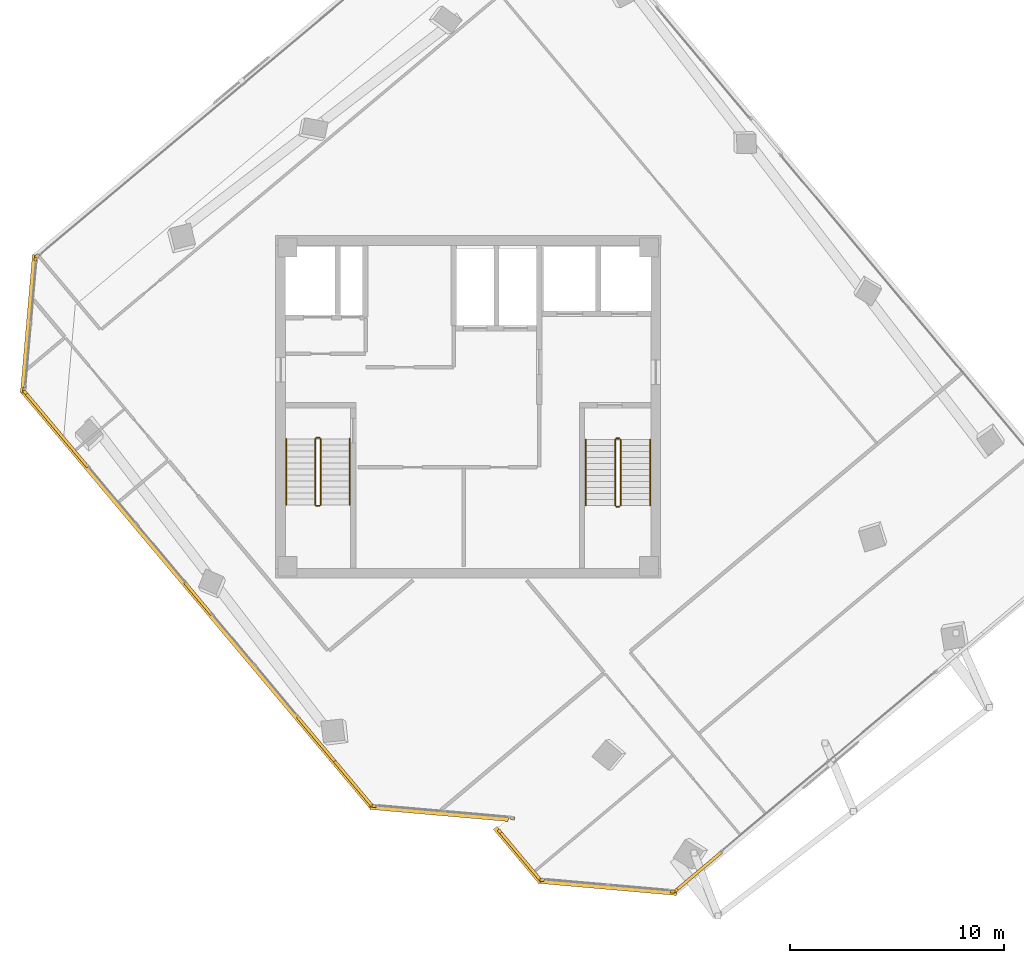
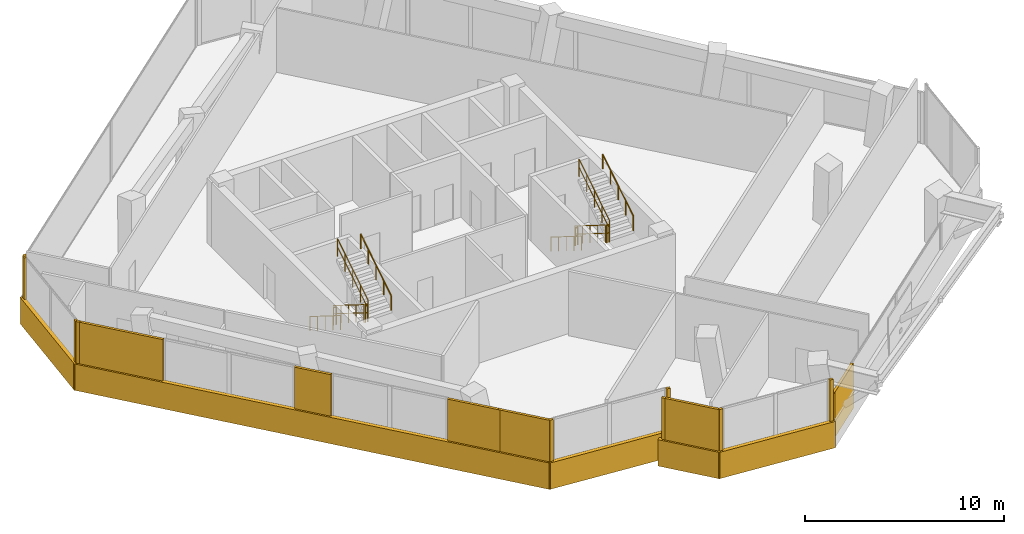
# One storey, part 15 of 17: 21 coverings, 12 railings.
"""IFC4 building model written with IfcOpenShell, lengths in metres."""

from ifc_helpers import new_model, si_unit, direction, frame, origin, origin_2d, place, context, subcontext, project, spatial, rectangle, circle, extrude, source, transform, mapped, material, layer, layer_set, type_object, element, save


model = new_model("IFC4")

# Units and contexts
model_context = context("Model", 3, precision=1e-05, world=origin(), true_north=direction((0.0, 1.0)))
body_context = subcontext(model_context, "Body", "Model", "MODEL_VIEW")
ifc_project = project(units=[si_unit("LENGTHUNIT", "METRE"), si_unit("AREAUNIT", "SQUARE_METRE"), si_unit("VOLUMEUNIT", "CUBIC_METRE"), si_unit("PLANEANGLEUNIT", "RADIAN"), si_unit("MASSUNIT", "GRAM", prefix="KILO")], contexts=[model_context])

# Site, building, storey
site_placement = place(None, origin())
site = spatial("IfcSite", under=ifc_project, at=site_placement, CompositionType="ELEMENT")
building_placement = place(site_placement, origin())
building = spatial("IfcBuilding", under=site, at=building_placement, Name="Torre Montelarca", CompositionType="ELEMENT")
storey_placement = place(building_placement, frame((0.0, 0.0, 275.199951171875)))
storey = spatial("IfcBuildingStorey", under=building, at=storey_placement, Name="L62", CompositionType="ELEMENT", Elevation=275.199951171875)

# Railings
ifc_material_1 = material(Name="Powder-coated steel ASTM A500 Grade C", Category="steel")
railing_type_1 = type_object("IfcRailingType", Name="RL-GUARD-1100", PredefinedType="BALUSTRADE", material=ifc_material_1)
railing_1_placement = place(storey_placement, frame((10.85009765625, 30.5, 0.175048828125)))
element("IfcRailing", 1, at=railing_1_placement, inside=storey, type_object=railing_type_1, Name="L62 ST1 stair guard 1", PredefinedType="BALUSTRADE", context=body_context, shape_type="SweptSolid", body=[
    extrude(circle(Radius=0.02392578125, at=origin_2d()), frame((0.0, 0.0, 1.076171875), z_axis=(0.0, -0.847998304005, 0.529998940003), x_axis=(1.0, 0.0, 0.0)), (0.0, 0.0, 1.0), 3.632080078125),
    extrude(circle(Radius=0.02099609375, at=origin_2d()), frame((0.0, 0.0, 0.572021484375), z_axis=(0.0, -0.847998304005, 0.529998940003), x_axis=(1.0, 0.0, 0.0)), (0.0, 0.0, 1.0), 3.632080078125),
    extrude(circle(Radius=0.02099609375, at=origin_2d()), origin(), (0.0, 0.0, 1.0), 1.052001953125),
    extrude(circle(Radius=0.02099609375, at=origin_2d()), frame((0.0, -0.77001953125, 0.481201171875)), (0.0, 0.0, 1.0), 1.052001953125),
    extrude(circle(Radius=0.02099609375, at=origin_2d()), frame((0.0, -1.5400390625, 0.96240234375)), (0.0, 0.0, 1.0), 1.052001953125),
    extrude(circle(Radius=0.02099609375, at=origin_2d()), frame((0.0, -2.31005859375, 1.44384765625)), (0.0, 0.0, 1.0), 1.052001953125),
    extrude(circle(Radius=0.02099609375, at=origin_2d()), frame((0.0, -3.080078125, 1.925048828125)), (0.0, 0.0, 1.0), 1.052001953125),
])
railing_2_placement = place(storey_placement, frame((10.89990234375, 27.3701171875, 2.10009765625)))
element("IfcRailing", 2, at=railing_2_placement, inside=storey, type_object=railing_type_1, Name="L62 ST1 stair guard 2", PredefinedType="BALUSTRADE", context=body_context, shape_type="SweptSolid", body=[
    extrude(circle(Radius=0.02392578125, at=origin_2d()), frame((0.0, 0.0, 1.076171875), z_axis=(1.0, 0.0, 0.0), x_axis=(0.0, 1.0, 0.0)), (0.0, 0.0, 1.0), 0.150146484375),
    extrude(circle(Radius=0.02099609375, at=origin_2d()), frame((0.0, 0.0, 0.572021484375), z_axis=(1.0, 0.0, 0.0), x_axis=(0.0, 1.0, 0.0)), (0.0, 0.0, 1.0), 0.150146484375),
    extrude(circle(Radius=0.02099609375, at=origin_2d()), origin(), (0.0, 0.0, 1.0), 1.052001953125),
    extrude(circle(Radius=0.02099609375, at=origin_2d()), frame((0.150146484375, 0.0, 0.0)), (0.0, 0.0, 1.0), 1.052001953125),
])
railing_3_placement = place(storey_placement, frame((11.10009765625, 27.419921875, 2.275146484375)))
element("IfcRailing", 3, at=railing_3_placement, inside=storey, type_object=railing_type_1, Name="L62 ST1 stair guard 3", PredefinedType="BALUSTRADE", context=body_context, shape_type="SweptSolid", body=[
    extrude(circle(Radius=0.02392578125, at=origin_2d()), frame((0.0, 0.0, 1.076171875), z_axis=(0.0, 0.848028513186, 0.529950602248), x_axis=(-1.0, 0.0, 0.0)), (0.0, 0.0, 1.0), 3.632080078125),
    extrude(circle(Radius=0.02099609375, at=origin_2d()), frame((0.0, 0.0, 0.572021484375), z_axis=(0.0, 0.848028513186, 0.529950602248), x_axis=(-1.0, 0.0, 0.0)), (0.0, 0.0, 1.0), 3.632080078125),
    extrude(circle(Radius=0.02099609375, at=origin_2d()), origin(), (0.0, 0.0, 1.0), 1.052001953125),
    extrude(circle(Radius=0.02099609375, at=origin_2d()), frame((0.0, 0.77001953125, 0.481201171875)), (0.0, 0.0, 1.0), 1.052001953125),
    extrude(circle(Radius=0.02099609375, at=origin_2d()), frame((0.0, 1.5400390625, 0.96240234375)), (0.0, 0.0, 1.0), 1.052001953125),
    extrude(circle(Radius=0.02099609375, at=origin_2d()), frame((0.0, 2.31005859375, 1.443603515625)), (0.0, 0.0, 1.0), 1.052001953125),
    extrude(circle(Radius=0.02099609375, at=origin_2d()), frame((0.0, 3.080078125, 1.9248046875)), (0.0, 0.0, 1.0), 1.052001953125),
])
railing_4_placement = place(storey_placement, frame((10.89990234375, 30.550048828125, 0.0)))
element("IfcRailing", 4, at=railing_4_placement, inside=storey, type_object=railing_type_1, Name="L62 ST1 stair guard 4", PredefinedType="BALUSTRADE", context=body_context, shape_type="SweptSolid", body=[
    extrude(circle(Radius=0.02392578125, at=origin_2d()), frame((0.0, 0.0, 1.076171875), z_axis=(1.0, 0.0, 0.0), x_axis=(0.0, 1.0, 0.0)), (0.0, 0.0, 1.0), 0.150146484375),
    extrude(circle(Radius=0.02099609375, at=origin_2d()), frame((0.0, 0.0, 0.572021484375), z_axis=(1.0, 0.0, 0.0), x_axis=(0.0, 1.0, 0.0)), (0.0, 0.0, 1.0), 0.150146484375),
    extrude(circle(Radius=0.02099609375, at=origin_2d()), origin(), (0.0, 0.0, 1.0), 1.052001953125),
    extrude(circle(Radius=0.02099609375, at=origin_2d()), frame((0.150146484375, 0.0, 0.0)), (0.0, 0.0, 1.0), 1.052001953125),
])
railing_5_placement = place(storey_placement, frame((24.8701171875, 30.469970703125, 0.175048828125)))
element("IfcRailing", 5, at=railing_5_placement, inside=storey, type_object=railing_type_1, Name="L62 ST2 stair guard 1", PredefinedType="BALUSTRADE", context=body_context, shape_type="SweptSolid", body=[
    extrude(circle(Radius=0.02392578125, at=origin_2d()), frame((0.0, 0.0, 1.076171875), z_axis=(0.0, -0.847998304005, 0.529998940003), x_axis=(1.0, 0.0, 0.0)), (0.0, 0.0, 1.0), 3.632080078125),
    extrude(circle(Radius=0.02099609375, at=origin_2d()), frame((0.0, 0.0, 0.572021484375), z_axis=(0.0, -0.847998304005, 0.529998940003), x_axis=(1.0, 0.0, 0.0)), (0.0, 0.0, 1.0), 3.632080078125),
    extrude(circle(Radius=0.02099609375, at=origin_2d()), origin(), (0.0, 0.0, 1.0), 1.052001953125),
    extrude(circle(Radius=0.02099609375, at=origin_2d()), frame((0.0, -0.77001953125, 0.481201171875)), (0.0, 0.0, 1.0), 1.052001953125),
    extrude(circle(Radius=0.02099609375, at=origin_2d()), frame((0.0, -1.5400390625, 0.96240234375)), (0.0, 0.0, 1.0), 1.052001953125),
    extrude(circle(Radius=0.02099609375, at=origin_2d()), frame((0.0, -2.31005859375, 1.44384765625)), (0.0, 0.0, 1.0), 1.052001953125),
    extrude(circle(Radius=0.02099609375, at=origin_2d()), frame((0.0, -3.080078125, 1.925048828125)), (0.0, 0.0, 1.0), 1.052001953125),
])
railing_6_placement = place(storey_placement, frame((24.919921875, 27.340087890625, 2.10009765625)))
element("IfcRailing", 6, at=railing_6_placement, inside=storey, type_object=railing_type_1, Name="L62 ST2 stair guard 2", PredefinedType="BALUSTRADE", context=body_context, shape_type="SweptSolid", body=[
    extrude(circle(Radius=0.02392578125, at=origin_2d()), frame((0.0, 0.0, 1.076171875), z_axis=(1.0, 0.0, 0.0), x_axis=(0.0, 1.0, 0.0)), (0.0, 0.0, 1.0), 0.150146484375),
    extrude(circle(Radius=0.02099609375, at=origin_2d()), frame((0.0, 0.0, 0.572021484375), z_axis=(1.0, 0.0, 0.0), x_axis=(0.0, 1.0, 0.0)), (0.0, 0.0, 1.0), 0.150146484375),
    extrude(circle(Radius=0.02099609375, at=origin_2d()), origin(), (0.0, 0.0, 1.0), 1.052001953125),
    extrude(circle(Radius=0.02099609375, at=origin_2d()), frame((0.150146484375, 0.0, 0.0)), (0.0, 0.0, 1.0), 1.052001953125),
])
railing_7_placement = place(storey_placement, frame((25.1201171875, 27.389892578125, 2.275146484375)))
element("IfcRailing", 7, at=railing_7_placement, inside=storey, type_object=railing_type_1, Name="L62 ST2 stair guard 3", PredefinedType="BALUSTRADE", context=body_context, shape_type="SweptSolid", body=[
    extrude(circle(Radius=0.02392578125, at=origin_2d()), frame((0.0, 0.0, 1.076171875), z_axis=(0.0, 0.848028513186, 0.529950602248), x_axis=(-1.0, 0.0, 0.0)), (0.0, 0.0, 1.0), 3.632080078125),
    extrude(circle(Radius=0.02099609375, at=origin_2d()), frame((0.0, 0.0, 0.572021484375), z_axis=(0.0, 0.848028513186, 0.529950602248), x_axis=(-1.0, 0.0, 0.0)), (0.0, 0.0, 1.0), 3.632080078125),
    extrude(circle(Radius=0.02099609375, at=origin_2d()), origin(), (0.0, 0.0, 1.0), 1.052001953125),
    extrude(circle(Radius=0.02099609375, at=origin_2d()), frame((0.0, 0.77001953125, 0.481201171875)), (0.0, 0.0, 1.0), 1.052001953125),
    extrude(circle(Radius=0.02099609375, at=origin_2d()), frame((0.0, 1.5400390625, 0.96240234375)), (0.0, 0.0, 1.0), 1.052001953125),
    extrude(circle(Radius=0.02099609375, at=origin_2d()), frame((0.0, 2.31005859375, 1.443603515625)), (0.0, 0.0, 1.0), 1.052001953125),
    extrude(circle(Radius=0.02099609375, at=origin_2d()), frame((0.0, 3.080078125, 1.9248046875)), (0.0, 0.0, 1.0), 1.052001953125),
])
railing_8_placement = place(storey_placement, frame((24.919921875, 30.52001953125, 0.0)))
element("IfcRailing", 8, at=railing_8_placement, inside=storey, type_object=railing_type_1, Name="L62 ST2 stair guard 4", PredefinedType="BALUSTRADE", context=body_context, shape_type="SweptSolid", body=[
    extrude(circle(Radius=0.02392578125, at=origin_2d()), frame((0.0, 0.0, 1.076171875), z_axis=(1.0, 0.0, 0.0), x_axis=(0.0, 1.0, 0.0)), (0.0, 0.0, 1.0), 0.150146484375),
    extrude(circle(Radius=0.02099609375, at=origin_2d()), frame((0.0, 0.0, 0.572021484375), z_axis=(1.0, 0.0, 0.0), x_axis=(0.0, 1.0, 0.0)), (0.0, 0.0, 1.0), 0.150146484375),
    extrude(circle(Radius=0.02099609375, at=origin_2d()), origin(), (0.0, 0.0, 1.0), 1.052001953125),
    extrude(circle(Radius=0.02099609375, at=origin_2d()), frame((0.150146484375, 0.0, 0.0)), (0.0, 0.0, 1.0), 1.052001953125),
])
ifc_material_2 = material(Name="Brushed stainless steel AISI 316", Category="steel")
railing_type_2 = type_object("IfcRailingType", Name="RL-HANDRAIL-900", PredefinedType="HANDRAIL", material=ifc_material_2)
railing_9_placement = place(storey_placement, frame((9.5, 30.5, 0.175048828125)))
element("IfcRailing", 9, at=railing_9_placement, inside=storey, type_object=railing_type_2, Name="L62 ST1 stair handrail 1", PredefinedType="HANDRAIL", context=body_context, shape_type="SweptSolid", body=[
    extrude(circle(Radius=0.02392578125, at=origin_2d()), frame((0.0, 0.0, 0.8759765625), z_axis=(0.0, -0.847998304005, 0.529998940003), x_axis=(1.0, 0.0, 0.0)), (0.0, 0.0, 1.0), 3.632080078125),
    extrude(circle(Radius=0.02099609375, at=origin_2d()), origin(), (0.0, 0.0, 1.0), 0.851806640625),
    extrude(circle(Radius=0.02099609375, at=origin_2d()), frame((0.0, -0.77001953125, 0.481201171875)), (0.0, 0.0, 1.0), 0.851806640625),
    extrude(circle(Radius=0.02099609375, at=origin_2d()), frame((0.0, -1.5400390625, 0.96240234375)), (0.0, 0.0, 1.0), 0.851806640625),
    extrude(circle(Radius=0.02099609375, at=origin_2d()), frame((0.0, -2.31005859375, 1.44384765625)), (0.0, 0.0, 1.0), 0.851806640625),
    extrude(circle(Radius=0.02099609375, at=origin_2d()), frame((0.0, -3.080078125, 1.925048828125)), (0.0, 0.0, 1.0), 0.851806640625),
])
railing_10_placement = place(storey_placement, frame((12.449951171875, 27.419921875, 2.275146484375)))
element("IfcRailing", 10, at=railing_10_placement, inside=storey, type_object=railing_type_2, Name="L62 ST1 stair handrail 2", PredefinedType="HANDRAIL", context=body_context, shape_type="SweptSolid", body=[
    extrude(circle(Radius=0.02392578125, at=origin_2d()), frame((0.0, 0.0, 0.8759765625), z_axis=(0.0, 0.848028513186, 0.529950602248), x_axis=(-1.0, 0.0, 0.0)), (0.0, 0.0, 1.0), 3.632080078125),
    extrude(circle(Radius=0.02099609375, at=origin_2d()), origin(), (0.0, 0.0, 1.0), 0.851806640625),
    extrude(circle(Radius=0.02099609375, at=origin_2d()), frame((0.0, 0.77001953125, 0.481201171875)), (0.0, 0.0, 1.0), 0.851806640625),
    extrude(circle(Radius=0.02099609375, at=origin_2d()), frame((0.0, 1.5400390625, 0.96240234375)), (0.0, 0.0, 1.0), 0.851806640625),
    extrude(circle(Radius=0.02099609375, at=origin_2d()), frame((0.0, 2.31005859375, 1.443603515625)), (0.0, 0.0, 1.0), 0.851806640625),
    extrude(circle(Radius=0.02099609375, at=origin_2d()), frame((0.0, 3.080078125, 1.9248046875)), (0.0, 0.0, 1.0), 0.851806640625),
])
railing_11_placement = place(storey_placement, frame((23.489990234375, 30.469970703125, 0.175048828125)))
element("IfcRailing", 11, at=railing_11_placement, inside=storey, type_object=railing_type_2, Name="L62 ST2 stair handrail 1", PredefinedType="HANDRAIL", context=body_context, shape_type="SweptSolid", body=[
    extrude(circle(Radius=0.02392578125, at=origin_2d()), frame((0.0, 0.0, 0.8759765625), z_axis=(0.0, -0.847998304005, 0.529998940003), x_axis=(1.0, 0.0, 0.0)), (0.0, 0.0, 1.0), 3.632080078125),
    extrude(circle(Radius=0.02099609375, at=origin_2d()), origin(), (0.0, 0.0, 1.0), 0.851806640625),
    extrude(circle(Radius=0.02099609375, at=origin_2d()), frame((0.0, -0.77001953125, 0.481201171875)), (0.0, 0.0, 1.0), 0.851806640625),
    extrude(circle(Radius=0.02099609375, at=origin_2d()), frame((0.0, -1.5400390625, 0.96240234375)), (0.0, 0.0, 1.0), 0.851806640625),
    extrude(circle(Radius=0.02099609375, at=origin_2d()), frame((0.0, -2.31005859375, 1.44384765625)), (0.0, 0.0, 1.0), 0.851806640625),
    extrude(circle(Radius=0.02099609375, at=origin_2d()), frame((0.0, -3.080078125, 1.925048828125)), (0.0, 0.0, 1.0), 0.851806640625),
])
railing_12_placement = place(storey_placement, frame((26.5, 27.389892578125, 2.275146484375)))
element("IfcRailing", 12, at=railing_12_placement, inside=storey, type_object=railing_type_2, Name="L62 ST2 stair handrail 2", PredefinedType="HANDRAIL", context=body_context, shape_type="SweptSolid", body=[
    extrude(circle(Radius=0.02392578125, at=origin_2d()), frame((0.0, 0.0, 0.8759765625), z_axis=(0.0, 0.848028513186, 0.529950602248), x_axis=(-1.0, 0.0, 0.0)), (0.0, 0.0, 1.0), 3.632080078125),
    extrude(circle(Radius=0.02099609375, at=origin_2d()), origin(), (0.0, 0.0, 1.0), 0.851806640625),
    extrude(circle(Radius=0.02099609375, at=origin_2d()), frame((0.0, 0.77001953125, 0.481201171875)), (0.0, 0.0, 1.0), 0.851806640625),
    extrude(circle(Radius=0.02099609375, at=origin_2d()), frame((0.0, 1.5400390625, 0.96240234375)), (0.0, 0.0, 1.0), 0.851806640625),
    extrude(circle(Radius=0.02099609375, at=origin_2d()), frame((0.0, 2.31005859375, 1.443603515625)), (0.0, 0.0, 1.0), 0.851806640625),
    extrude(circle(Radius=0.02099609375, at=origin_2d()), frame((0.0, 3.080078125, 1.9248046875)), (0.0, 0.0, 1.0), 0.851806640625),
])

# Coverings
ifc_material_3 = material(Name="Bush-hammered warm white precast concrete C45/55", Category="concrete")
ifc_layer = layer(ifc_material_3, 0.139892578125, Name="Bush-hammered warm white precast concrete C45/55", Category="concrete")
ifc_layer_set = layer_set([ifc_layer], Name="Bush-hammered warm white precast concrete C45/55")
covering_type = type_object("IfcCoveringType", Name="COV-TRAY-CLAD", PredefinedType="CLADDING", material=ifc_layer_set)
shared_shape_1 = source(origin(), body_context, "Body", "SweptSolid", [
    extrude(rectangle(XDim=6.48388671875, YDim=0.219970703125, at=origin_2d()), origin(), (0.0, 0.0, 1.0), 1.6201171875),
])
for number, where, z_axis, x_axis, name in (
    (13, (16.64404296875, 13.006103515625, -0.449951171875), (0.0, 0.0, 1.0), (0.996194089606, -0.087162697497, 0.0), "L62 Architectural White Spandrel Tray Band TRYBOT-02"),
    (14, (24.504638671875, 9.55029296875, -0.449951171875), (0.0, 0.0, 1.0), (0.996195458631, -0.087147049306, 0.0), "L62 Architectural White Spandrel Tray Band TRYBOT-05"),
    (15, (-2.548095703125, 35.87841796875, -0.449951171875), (0.0, 0.0, 1.0), (-0.087162697497, -0.996194089606, 0.0), "L62 Architectural White Spandrel Tray Band TRYBOT-11"),
):
    element("IfcCovering", number, at=place(storey_placement, frame(where, z_axis=z_axis, x_axis=x_axis)), inside=storey, type_object=covering_type, Name=name, PredefinedType="CLADDING", context=body_context, shape_type="MappedRepresentation", body=[
        mapped(shared_shape_1, transform((0.0, 0.0, 0.0), scale=1.0)),
    ])
shared_shape_2 = source(origin(), body_context, "Body", "SweptSolid", [
    extrude(rectangle(XDim=25.52001953125, YDim=0.219970703125, at=origin_2d()), origin(), (0.0, 0.0, 1.0), 1.6201171875),
])
covering_1_placement = place(storey_placement, frame((5.331298828125, 23.001708984375, -0.449951171875), z_axis=(0.0, 0.0, 1.0), x_axis=(0.642787609687, -0.766044443119, 0.0)))
element("IfcCovering", 16, at=covering_1_placement, inside=storey, type_object=covering_type, Name="L62 Architectural White Spandrel Tray Band TRYBOT-01", PredefinedType="CLADDING", context=body_context, shape_type="MappedRepresentation", body=[
    mapped(shared_shape_2, transform((0.0, 0.0, 0.0), scale=1.0)),
])
shared_shape_3 = source(origin(), body_context, "Body", "SweptSolid", [
    extrude(rectangle(XDim=0.199951171875, YDim=0.139892578125, at=origin_2d()), origin(), (0.0, 0.0, 1.0), 3.719970703125),
])
for number, where, z_axis, x_axis, name in (
    (17, (-2.7119140625, 32.680419921875, 0.0), (0.0, 0.0, 1.0), (0.642788946685, -0.766043321242, 0.0), "L62 Architectural Column Pier Cladding E01-1"),
    (18, (13.594970703125, 13.333251953125, 0.0), (0.0, 0.0, 1.0), (0.996193481071, -0.087169652241, 0.0), "L62 Architectural Column Pier Cladding E02-1"),
    (19, (20.070068359375, 12.7666015625, 0.0), (0.0, 0.0, 1.0), (0.996193481071, -0.087169652241, 0.0), "L62 Architectural Column Pier Cladding E02-2"),
    (20, (19.467529296875, 12.159912109375, 0.0), (0.0, 0.0, 1.0), (0.642807664463, -0.766027614716, 0.0), "L62 Architectural Column Pier Cladding E04-1"),
    (21, (21.455322265625, 9.877197265625, 0.0), (0.0, 0.0, 1.0), (0.996194241732, -0.08716095881, 0.0), "L62 Architectural Column Pier Cladding E05-1"),
    (22, (27.564208984375, 9.3427734375, 0.0), (0.0, 0.0, 1.0), (0.996194241732, -0.08716095881, 0.0), "L62 Architectural Column Pier Cladding E05-2"),
    (23, (-2.15380859375, 39.056396484375, 0.0), (0.0, 0.0, 1.0), (-0.766043321242, -0.642788946685, 0.0), "L62 Architectural Column Pier Cladding E10-2"),
    (24, (-2.220947265625, 38.927490234375, 0.0), (0.0, 0.0, 1.0), (-0.087176606982, -0.996192872488, 0.0), "L62 Architectural Column Pier Cladding E11-1"),
    (25, (-2.755615234375, 32.81884765625, 0.0), (0.0, 0.0, 1.0), (-0.087176606982, -0.996192872488, 0.0), "L62 Architectural Column Pier Cladding E11-2"),
):
    element("IfcCovering", number, at=place(storey_placement, frame(where, z_axis=z_axis, x_axis=x_axis)), inside=storey, type_object=covering_type, Name=name, PredefinedType="CLADDING", context=body_context, shape_type="MappedRepresentation", body=[
        mapped(shared_shape_3, transform((0.0, 0.0, 0.0), scale=1.0)),
    ])
shared_shape_4 = source(origin(), body_context, "Body", "SweptSolid", [
    extrude(rectangle(XDim=0.199951171875, YDim=0.139892578125, at=origin_2d()), origin(), (0.0, 0.0, 1.0), 2.77490234375),
])
covering_2_placement = place(storey_placement, frame((27.70263671875, 9.386474609375, 0.0), z_axis=(0.0, 0.0, 1.0), x_axis=(0.766044443119, 0.642787609687, 0.0)))
element("IfcCovering", 26, at=covering_2_placement, inside=storey, type_object=covering_type, Name="L62 Architectural Column Pier Cladding E06-1", PredefinedType="CLADDING", context=body_context, shape_type="MappedRepresentation", body=[
    mapped(shared_shape_4, transform((0.0, 0.0, 0.0), scale=1.0)),
])
shared_shape_5 = source(origin(), body_context, "Body", "SweptSolid", [
    extrude(rectangle(XDim=2.754150390625, YDim=0.139892578125, at=origin_2d()), origin(), (0.0, 0.0, 1.0), 3.719970703125),
])
covering_3_placement = place(storey_placement, frame((12.645263671875, 14.378662109375, 0.0), z_axis=(0.0, 0.0, 1.0), x_axis=(0.642788946685, -0.766043321242, 0.0)))
element("IfcCovering", 27, at=covering_3_placement, inside=storey, type_object=covering_type, Name="L62 Architectural Column Pier Cladding E01-5", PredefinedType="CLADDING", context=body_context, shape_type="MappedRepresentation", body=[
    mapped(shared_shape_5, transform((0.0, 0.0, 0.0), scale=1.0)),
])
shared_shape_6 = source(origin(), body_context, "Body", "SweptSolid", [
    extrude(rectangle(XDim=3.320068359375, YDim=0.219970703125, at=origin_2d()), origin(), (0.0, 0.0, 1.0), 1.6201171875),
])
covering_4_placement = place(storey_placement, frame((20.32666015625, 11.04248046875, -0.449951171875), z_axis=(0.0, 0.0, 1.0), x_axis=(0.642790283682, -0.766042199362, 0.0)))
element("IfcCovering", 28, at=covering_4_placement, inside=storey, type_object=covering_type, Name="L62 Architectural White Spandrel Tray Band TRYBOT-04", PredefinedType="CLADDING", context=body_context, shape_type="MappedRepresentation", body=[
    mapped(shared_shape_6, transform((0.0, 0.0, 0.0), scale=1.0)),
])
shared_shape_7 = source(origin(), body_context, "Body", "SweptSolid", [
    extrude(rectangle(XDim=2.9921875, YDim=0.139892578125, at=origin_2d()), origin(), (0.0, 0.0, 1.0), 3.719970703125),
])
covering_5_placement = place(storey_placement, frame((20.42919921875, 11.013671875, 0.0), z_axis=(0.0, 0.0, 1.0), x_axis=(0.642807664463, -0.766027614716, 0.0)))
element("IfcCovering", 29, at=covering_5_placement, inside=storey, type_object=covering_type, Name="L62 Architectural Column Pier Cladding E04-2", PredefinedType="CLADDING", context=body_context, shape_type="MappedRepresentation", body=[
    mapped(shared_shape_7, transform((0.0, 0.0, 0.0), scale=1.0)),
])
shared_shape_8 = source(origin(), body_context, "Body", "SweptSolid", [
    extrude(rectangle(XDim=4.564208984375, YDim=0.139892578125, at=origin_2d()), origin(), (0.0, 0.0, 1.0), 3.719970703125),
])
covering_6_placement = place(storey_placement, frame((-1.244873046875, 30.93212890625, 0.0), z_axis=(0.0, 0.0, 1.0), x_axis=(0.642788946685, -0.766043321242, 0.0)))
element("IfcCovering", 30, at=covering_6_placement, inside=storey, type_object=covering_type, Name="L62 Architectural Column Pier Cladding E01-2", PredefinedType="CLADDING", context=body_context, shape_type="MappedRepresentation", body=[
    mapped(shared_shape_8, transform((0.0, 0.0, 0.0), scale=1.0)),
])
shared_shape_9 = source(origin(), body_context, "Body", "SweptSolid", [
    extrude(rectangle(XDim=1.9599609375, YDim=0.139892578125, at=origin_2d()), origin(), (0.0, 0.0, 1.0), 3.719970703125),
])
covering_7_placement = place(storey_placement, frame((5.377197265625, 23.040283203125, 0.0), z_axis=(0.0, 0.0, 1.0), x_axis=(0.642788946685, -0.766043321242, 0.0)))
element("IfcCovering", 31, at=covering_7_placement, inside=storey, type_object=covering_type, Name="L62 Architectural Column Pier Cladding E01-3", PredefinedType="CLADDING", context=body_context, shape_type="MappedRepresentation", body=[
    mapped(shared_shape_9, transform((0.0, 0.0, 0.0), scale=1.0)),
])
shared_shape_10 = source(origin(), body_context, "Body", "SweptSolid", [
    extrude(rectangle(XDim=2.815673828125, YDim=0.139892578125, at=origin_2d()), origin(), (0.0, 0.0, 1.0), 3.719970703125),
])
covering_8_placement = place(storey_placement, frame((10.91943359375, 16.435302734375, 0.0), z_axis=(0.0, 0.0, 1.0), x_axis=(0.642788946685, -0.766043321242, 0.0)))
element("IfcCovering", 32, at=covering_8_placement, inside=storey, type_object=covering_type, Name="L62 Architectural Column Pier Cladding E01-4", PredefinedType="CLADDING", context=body_context, shape_type="MappedRepresentation", body=[
    mapped(shared_shape_10, transform((0.0, 0.0, 0.0), scale=1.0)),
])
shared_shape_11 = source(origin(), body_context, "Body", "SweptSolid", [
    extrude(rectangle(XDim=2.814208984375, YDim=0.139892578125, at=origin_2d()), origin(), (0.0, 0.0, 1.0), 2.77490234375),
])
covering_9_placement = place(storey_placement, frame((28.780517578125, 10.291015625, 0.0), z_axis=(0.0, 0.0, 1.0), x_axis=(0.766044443119, 0.642787609687, 0.0)))
element("IfcCovering", 33, at=covering_9_placement, inside=storey, type_object=covering_type, Name="L62 Architectural Column Pier Cladding E06-2", PredefinedType="CLADDING", context=body_context, shape_type="MappedRepresentation", body=[
    mapped(shared_shape_11, transform((0.0, 0.0, 0.0), scale=1.0)),
])

save(model, "model.ifc")
